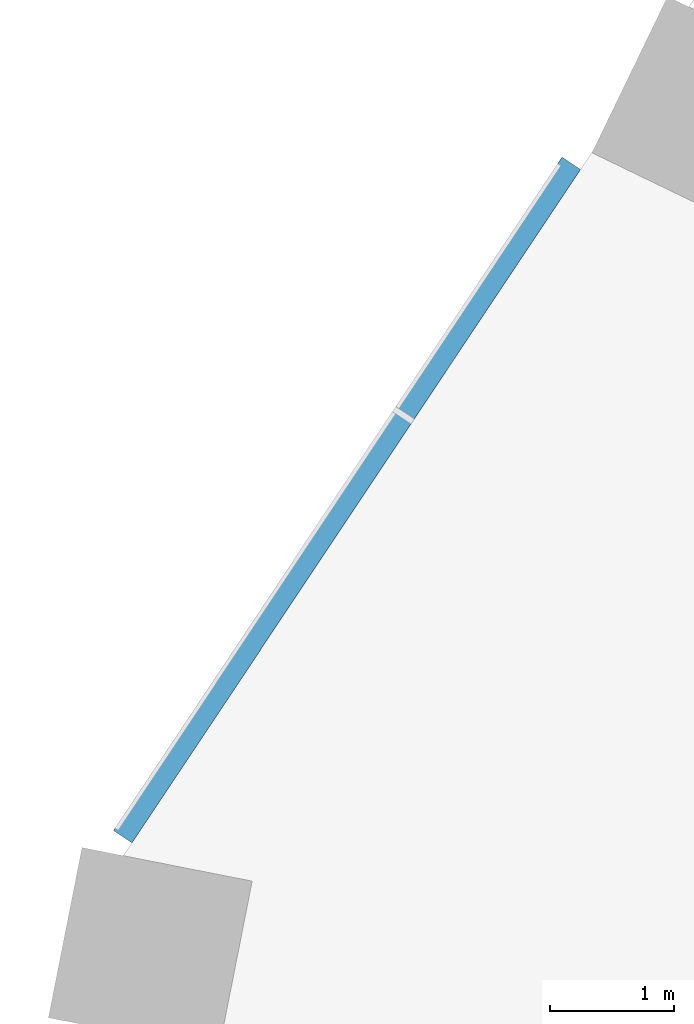
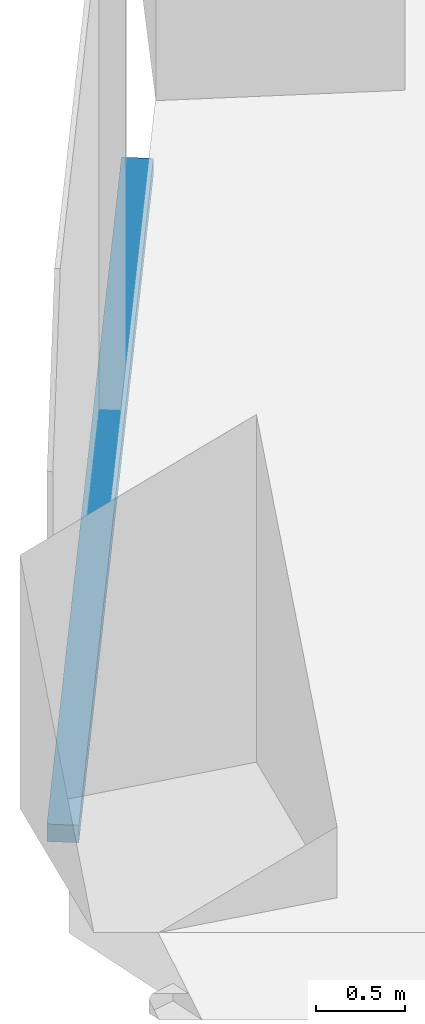
# One storey, part 7 of 38: 1 member, 1 element without a shape of its own.
"""IFC4 building model written with IfcOpenShell, lengths in metres."""

from ifc_helpers import new_model, si_unit, direction, frame, origin, origin_2d, place, context, subcontext, project, spatial, rectangle, extrude, material, material_profile, profile_set, type_object, element, aggregate, save


model = new_model("IFC4")

# Units and contexts
model_context = context("Model", 3, precision=1e-05, world=origin(), true_north=direction((0.0, 1.0)))
body_context = subcontext(model_context, "Body", "Model", "MODEL_VIEW")
ifc_project = project(units=[si_unit("LENGTHUNIT", "METRE"), si_unit("AREAUNIT", "SQUARE_METRE"), si_unit("VOLUMEUNIT", "CUBIC_METRE"), si_unit("PLANEANGLEUNIT", "RADIAN"), si_unit("MASSUNIT", "GRAM", prefix="KILO")], contexts=[model_context])

# Site, building, storey
site_placement = place(None, origin())
site = spatial("IfcSite", under=ifc_project, at=site_placement, CompositionType="ELEMENT")
building_placement = place(site_placement, origin())
building = spatial("IfcBuilding", under=site, at=building_placement, Name="Orlundy Tower", CompositionType="ELEMENT")
storey_placement = place(building_placement, frame((0.0, 0.0, 72.800048828125)))
storey = spatial("IfcBuildingStorey", under=building, at=storey_placement, Name="L17", CompositionType="ELEMENT", Elevation=72.800048828125)

# Curtain wall, member
ifc_material_1 = material(Name="Aluminium bronze anodised", Category="aluminium")
curtain_wall_type = type_object("IfcCurtainWallType", Name="CW1 wall", PredefinedType="NOTDEFINED", material=ifc_material_1)
curtain_wall_placement = place(storey_placement, origin())
curtain_wall = element("IfcCurtainWall", 1, at=curtain_wall_placement, inside=storey, type_object=curtain_wall_type, Name="CW1 run 014", PredefinedType="NOTDEFINED")
ifc_material_2 = material(Name="Aluminium bronze anodised", Category="aluminium")
ifc_material_profile = material_profile(ifc_material_2, rectangle(XDim=0.179931640625, YDim=0.1201171875, at=origin_2d()), Name="CW1 transom 180x120")
ifc_profile_set = profile_set([ifc_material_profile], Name="Aluminium bronze anodised")
member_type = type_object("IfcMemberType", Name="CW1 transom 180x120", PredefinedType="USERDEFINED", material=ifc_profile_set)
member_placement = place(storey_placement, frame((-31.442626953125, 7.073486328125, -0.340087890625), z_axis=(0.554355096338, 0.832280257584, 0.0), x_axis=(-0.832280257584, 0.554355096338, 0.0)))
member = element("IfcMember", 2, at=member_placement, type_object=member_type, Name="CW1 transom", ObjectType="TRANSOM", PredefinedType="USERDEFINED", context=body_context, shape_type="SweptSolid", body=[
    extrude(rectangle(XDim=0.179931640625, YDim=0.1201171875, at=origin_2d()), origin(), (0.0, 0.0, 1.0), 6.53125),
])
aggregate(curtain_wall, [member])

save(model, "model.ifc")
